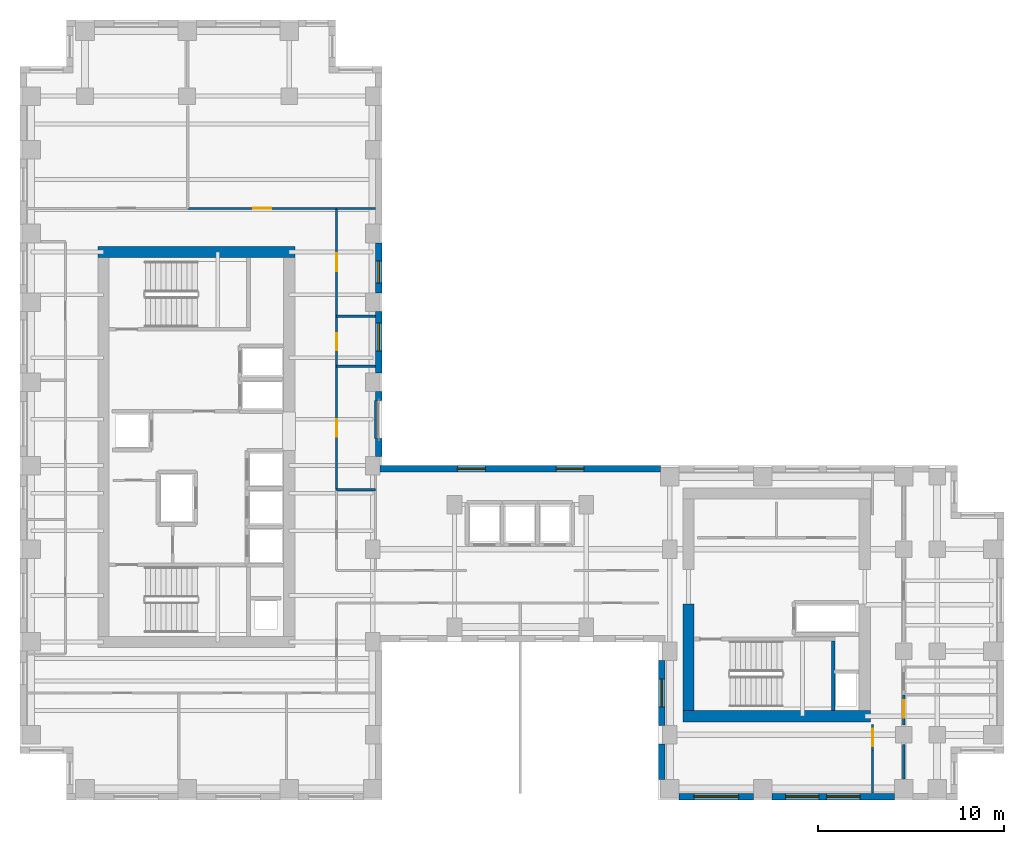
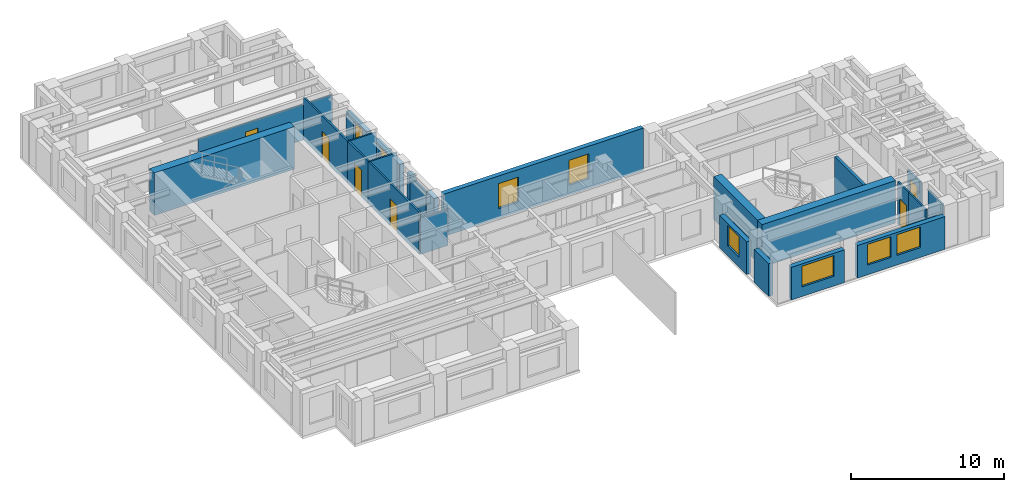
# One storey, part 7 of 11: 26 walls, 8 windows, 6 doors, 14 openings.
"""IFC4 building model written with IfcOpenShell, lengths in metres."""

from ifc_helpers import new_model, si_unit, direction, frame, frame_2d, origin, place, context, subcontext, project, spatial, rectangle, extrude, source, transform, mapped, material, layer, layer_set, type_object, element, fill, save


model = new_model("IFC4")

# Units and contexts
model_context = context("Model", 3, precision=1e-05, world=origin(), true_north=direction((0.0, 1.0)))
body_context = subcontext(model_context, "Body", "Model", "MODEL_VIEW")
ifc_project = project(units=[si_unit("LENGTHUNIT", "METRE"), si_unit("AREAUNIT", "SQUARE_METRE"), si_unit("VOLUMEUNIT", "CUBIC_METRE"), si_unit("PLANEANGLEUNIT", "RADIAN"), si_unit("MASSUNIT", "GRAM", prefix="KILO")], contexts=[model_context])

# Site, building, storey
site_placement = place(None, origin())
site = spatial("IfcSite", under=ifc_project, at=site_placement, CompositionType="ELEMENT")
building_placement = place(site_placement, origin())
building = spatial("IfcBuilding", under=site, at=building_placement, Name="Kharzan Plaza Tower", CompositionType="ELEMENT")
storey_placement = place(building_placement, frame((0.0, 0.0, 182.699951171875)))
storey = spatial("IfcBuildingStorey", under=building, at=storey_placement, Name="L49", CompositionType="ELEMENT", Elevation=182.699951171875)

# Wall, opening, window
ifc_material_1 = material(Name="Concrete C40/50", Category="concrete")
ifc_layer_1 = layer(ifc_material_1, 0.35009765625)
ifc_layer_set_1 = layer_set([ifc_layer_1], Name="Concrete C40/50")
wall_type_1 = type_object("IfcWallType", Name="WL-EXT-MAS-Z3", PredefinedType="SOLIDWALL", material=ifc_layer_set_1)
wall_1_placement = place(storey_placement, frame((34.574951171875, 7.501953125, 0.0), z_axis=(0.0, 0.0, 1.0), x_axis=(0.0, -1.0, 0.0)))
wall_1 = element("IfcWall", 1, at=wall_1_placement, inside=storey, type_object=wall_type_1, Name="L49 Masonry-Frame Exterior Wall 29", PredefinedType="SOLIDWALL", context=body_context, shape_type="SweptSolid", body=[
    extrude(rectangle(XDim=3.50390625, YDim=0.35009765625, at=frame_2d((1.751953125, 0.0))), origin(), (0.0, 0.0, 1.0), 2.612060546875),
])
opening_1_placement = place(wall_1_placement, frame((1.001953125, 0.0, 0.780029296875)))
opening_1 = element("IfcOpeningElement", 2, at=opening_1_placement, cuts=wall_1, Name="Opening W5", PredefinedType="OPENING", context=body_context, shape_type="SweptSolid", body=[
    extrude(rectangle(XDim=1.5, YDim=1.652099609375, at=frame_2d((0.75, 0.826171875))), frame((0.0, 0.18505859375, 0.0), z_axis=(0.0, -1.0, 0.0), x_axis=(1.0, 0.0, 0.0)), (0.0, 0.0, 1.0), 0.3701171875),
])
ifc_material_2 = material(Name="Low-E Double Glazing", Category="glass")
window_type_1 = type_object("IfcWindowType", Name="WN-SLT-1500x2000", PartitioningType="SINGLE_PANEL", PredefinedType="WINDOW", material=ifc_material_2)
shared_shape_1 = source(origin(), body_context, "Body", "SweptSolid", [
    extrude(rectangle(XDim=1.5, YDim=1.652099609375, at=frame_2d((0.75, 0.826171875))), frame((0.0, 0.030029296875, 0.0), z_axis=(0.0, -1.0, 0.0), x_axis=(1.0, 0.0, 0.0)), (0.0, 0.0, 1.0), 0.06005859375),
])
window_1_placement = place(opening_1_placement, origin())
window_1 = element("IfcWindow", 3, at=window_1_placement, inside=storey, type_object=window_type_1, Name="L49 Recessed Solar-Control Window 29-1", OverallHeight=1.652099609375, OverallWidth=1.5, PartitioningType="SINGLE_PANEL", PredefinedType="WINDOW", context=body_context, shape_type="MappedRepresentation", body=[
    mapped(shared_shape_1, transform((0.0, 0.0, 0.0), x_axis=(1.0, 0.0, 0.0), y_axis=(0.0, 1.0, 0.0), z_axis=(0.0, 0.0, 1.0))),
])
fill(opening_1, window_1)

wall_2_placement = place(storey_placement, frame((35.498046875, 0.175048828125, 0.0), z_axis=(0.0, 0.0, 1.0), x_axis=(1.0, 0.0, 0.0)))
wall_2 = element("IfcWall", 4, at=wall_2_placement, inside=storey, type_object=wall_type_1, Name="L49 Masonry-Frame Exterior Wall 31", PredefinedType="SOLIDWALL", context=body_context, shape_type="SweptSolid", body=[
    extrude(rectangle(XDim=4.00390625, YDim=0.35009765625, at=frame_2d((2.001953125, 0.0))), origin(), (0.0, 0.0, 1.0), 2.612060546875),
])
opening_2_placement = place(wall_2_placement, frame((0.802001953125, 0.0, 0.780029296875)))
opening_2 = element("IfcOpeningElement", 5, at=opening_2_placement, cuts=wall_2, Name="Opening W2", PredefinedType="OPENING", context=body_context, shape_type="SweptSolid", body=[
    extrude(rectangle(XDim=2.39990234375, YDim=1.652099609375, at=frame_2d((1.199951171875, 0.826171875))), frame((0.0, 0.18505859375, 0.0), z_axis=(0.0, -1.0, 0.0), x_axis=(1.0, 0.0, 0.0)), (0.0, 0.0, 1.0), 0.3701171875),
])
window_type_2 = type_object("IfcWindowType", Name="WN-REC-2400x2100", PartitioningType="SINGLE_PANEL", PredefinedType="WINDOW", material=ifc_material_2)
shared_shape_2 = source(origin(), body_context, "Body", "SweptSolid", [
    extrude(rectangle(XDim=2.39990234375, YDim=1.652099609375, at=frame_2d((1.199951171875, 0.826171875))), frame((0.0, 0.030029296875, 0.0), z_axis=(0.0, -1.0, 0.0), x_axis=(1.0, 0.0, 0.0)), (0.0, 0.0, 1.0), 0.06005859375),
])
window_2_placement = place(opening_2_placement, origin())
window_2 = element("IfcWindow", 6, at=window_2_placement, inside=storey, type_object=window_type_2, Name="L49 Wide Recessed Solar-Control Window 31-1", OverallHeight=1.652099609375, OverallWidth=2.39990234375, PartitioningType="SINGLE_PANEL", PredefinedType="WINDOW", context=body_context, shape_type="MappedRepresentation", body=[
    mapped(shared_shape_2, transform((0.0, 0.0, 0.0), x_axis=(1.0, 0.0, 0.0), y_axis=(0.0, 1.0, 0.0), z_axis=(0.0, 0.0, 1.0))),
])
fill(opening_2, window_2)

# Wall, openings, windows
wall_3_placement = place(storey_placement, frame((40.498046875, 0.175048828125, 0.0), z_axis=(0.0, 0.0, 1.0), x_axis=(1.0, 0.0, 0.0)))
wall_3 = element("IfcWall", 7, at=wall_3_placement, inside=storey, type_object=wall_type_1, Name="L49 Masonry-Frame Exterior Wall 32", PredefinedType="SOLIDWALL", context=body_context, shape_type="SweptSolid", body=[
    extrude(rectangle(XDim=6.60400390625, YDim=0.35009765625, at=frame_2d((3.302001953125, 0.0))), origin(), (0.0, 0.0, 1.0), 2.612060546875),
])
opening_3_placement = place(wall_3_placement, frame((0.7373046875, 0.0, 0.780029296875)))
opening_3 = element("IfcOpeningElement", 8, at=opening_3_placement, cuts=wall_3, Name="Opening W1", PredefinedType="OPENING", context=body_context, shape_type="SweptSolid", body=[
    extrude(rectangle(XDim=1.800048828125, YDim=1.652099609375, at=frame_2d((0.89990234375, 0.826171875))), frame((0.0, 0.18505859375, 0.0), z_axis=(0.0, -1.0, 0.0), x_axis=(1.0, 0.0, 0.0)), (0.0, 0.0, 1.0), 0.3701171875),
])
opening_4_placement = place(wall_3_placement, frame((2.95458984375, 0.0, 0.780029296875)))
opening_4 = element("IfcOpeningElement", 9, at=opening_4_placement, cuts=wall_3, Name="Opening W1", PredefinedType="OPENING", context=body_context, shape_type="SweptSolid", body=[
    extrude(rectangle(XDim=1.800048828125, YDim=1.652099609375, at=frame_2d((0.89990234375, 0.826171875))), frame((0.0, 0.18505859375, 0.0), z_axis=(0.0, -1.0, 0.0), x_axis=(1.0, 0.0, 0.0)), (0.0, 0.0, 1.0), 0.3701171875),
])
window_type_3 = type_object("IfcWindowType", Name="WN-REC-1800x2100", PartitioningType="SINGLE_PANEL", PredefinedType="WINDOW", material=ifc_material_2)
shared_shape_3 = source(origin(), body_context, "Body", "SweptSolid", [
    extrude(rectangle(XDim=1.800048828125, YDim=1.652099609375, at=frame_2d((0.89990234375, 0.826171875))), frame((0.0, 0.030029296875, 0.0), z_axis=(0.0, -1.0, 0.0), x_axis=(1.0, 0.0, 0.0)), (0.0, 0.0, 1.0), 0.06005859375),
])
window_3_placement = place(opening_3_placement, origin())
window_3 = element("IfcWindow", 10, at=window_3_placement, inside=storey, type_object=window_type_3, Name="L49 Recessed Solar-Control Window 32-1", OverallHeight=1.652099609375, OverallWidth=1.800048828125, PartitioningType="SINGLE_PANEL", PredefinedType="WINDOW", context=body_context, shape_type="MappedRepresentation", body=[
    mapped(shared_shape_3, transform((0.0, 0.0, 0.0), x_axis=(1.0, 0.0, 0.0), y_axis=(0.0, 1.0, 0.0), z_axis=(0.0, 0.0, 1.0))),
])
fill(opening_3, window_3)
window_4_placement = place(opening_4_placement, origin())
window_4 = element("IfcWindow", 11, at=window_4_placement, inside=storey, type_object=window_type_3, Name="L49 Recessed Solar-Control Window 32-2", OverallHeight=1.652099609375, OverallWidth=1.800048828125, PartitioningType="SINGLE_PANEL", PredefinedType="WINDOW", context=body_context, shape_type="MappedRepresentation", body=[
    mapped(shared_shape_3, transform((0.0, 0.0, 0.0), x_axis=(1.0, 0.0, 0.0), y_axis=(0.0, 1.0, 0.0), z_axis=(0.0, 0.0, 1.0))),
])
fill(opening_4, window_4)

wall_4_placement = place(storey_placement, frame((34.501953125, 17.824951171875, 0.0), z_axis=(0.0, 0.0, 1.0), x_axis=(-1.0, 0.0, 0.0)))
wall_4 = element("IfcWall", 12, at=wall_4_placement, inside=storey, type_object=wall_type_1, Name="L49 Masonry-Frame Exterior Wall 46", PredefinedType="SOLIDWALL", context=body_context, shape_type="SweptSolid", body=[
    extrude(rectangle(XDim=15.10400390625, YDim=0.35009765625, at=frame_2d((7.552001953125, 0.0))), origin(), (0.0, 0.0, 1.0), 3.385009765625),
])
opening_5_placement = place(wall_4_placement, frame((4.131103515625, 0.0, 0.780029296875)))
opening_5 = element("IfcOpeningElement", 13, at=opening_5_placement, cuts=wall_4, Name="Opening W5", PredefinedType="OPENING", context=body_context, shape_type="SweptSolid", body=[
    extrude(rectangle(XDim=1.5, YDim=2.0, at=frame_2d((0.75, 1.0))), frame((0.0, 0.18505859375, 0.0), z_axis=(0.0, -1.0, 0.0), x_axis=(1.0, 0.0, 0.0)), (0.0, 0.0, 1.0), 0.3701171875),
])
opening_6_placement = place(wall_4_placement, frame((9.4423828125, 0.0, 0.780029296875)))
opening_6 = element("IfcOpeningElement", 14, at=opening_6_placement, cuts=wall_4, Name="Opening W5", PredefinedType="OPENING", context=body_context, shape_type="SweptSolid", body=[
    extrude(rectangle(XDim=1.5, YDim=2.0, at=frame_2d((0.75, 1.0))), frame((0.0, 0.18505859375, 0.0), z_axis=(0.0, -1.0, 0.0), x_axis=(1.0, 0.0, 0.0)), (0.0, 0.0, 1.0), 0.3701171875),
])
shared_shape_4 = source(origin(), body_context, "Body", "SweptSolid", [
    extrude(rectangle(XDim=1.5, YDim=2.0, at=frame_2d((0.75, 1.0))), frame((0.0, 0.030029296875, 0.0), z_axis=(0.0, -1.0, 0.0), x_axis=(1.0, 0.0, 0.0)), (0.0, 0.0, 1.0), 0.06005859375),
])
window_5_placement = place(opening_5_placement, origin())
window_5 = element("IfcWindow", 15, at=window_5_placement, inside=storey, type_object=window_type_1, Name="L49 Recessed Solar-Control Window 46-1", OverallHeight=2.0, OverallWidth=1.5, PartitioningType="SINGLE_PANEL", PredefinedType="WINDOW", context=body_context, shape_type="MappedRepresentation", body=[
    mapped(shared_shape_4, transform((0.0, 0.0, 0.0), x_axis=(1.0, 0.0, 0.0), y_axis=(0.0, 1.0, 0.0), z_axis=(0.0, 0.0, 1.0))),
])
fill(opening_5, window_5)
window_6_placement = place(opening_6_placement, origin())
window_6 = element("IfcWindow", 16, at=window_6_placement, inside=storey, type_object=window_type_1, Name="L49 Recessed Solar-Control Window 46-2", OverallHeight=2.0, OverallWidth=1.5, PartitioningType="SINGLE_PANEL", PredefinedType="WINDOW", context=body_context, shape_type="MappedRepresentation", body=[
    mapped(shared_shape_4, transform((0.0, 0.0, 0.0), x_axis=(1.0, 0.0, 0.0), y_axis=(0.0, 1.0, 0.0), z_axis=(0.0, 0.0, 1.0))),
])
fill(opening_6, window_6)

# Wall, opening, window
wall_5_placement = place(storey_placement, frame((19.324951171875, 22.998046875, 0.0), z_axis=(0.0, 0.0, 1.0), x_axis=(0.0, 1.0, 0.0)))
wall_5 = element("IfcWall", 17, at=wall_5_placement, inside=storey, type_object=wall_type_1, Name="L49 Masonry-Frame Exterior Wall 49", PredefinedType="SOLIDWALL", context=body_context, shape_type="SweptSolid", body=[
    extrude(rectangle(XDim=3.303955078125, YDim=0.35009765625, at=frame_2d((1.65185546875, 0.0))), origin(), (0.0, 0.0, 1.0), 2.612060546875),
])
opening_7_placement = place(wall_5_placement, frame((1.180419921875, 0.0, 0.780029296875)))
opening_7 = element("IfcOpeningElement", 18, at=opening_7_placement, cuts=wall_5, Name="Opening W5", PredefinedType="OPENING", context=body_context, shape_type="SweptSolid", body=[
    extrude(rectangle(XDim=1.5, YDim=1.652099609375, at=frame_2d((0.75, 0.826171875))), frame((0.0, 0.18505859375, 0.0), z_axis=(0.0, -1.0, 0.0), x_axis=(1.0, 0.0, 0.0)), (0.0, 0.0, 1.0), 0.3701171875),
])
window_7_placement = place(opening_7_placement, origin())
window_7 = element("IfcWindow", 19, at=window_7_placement, inside=storey, type_object=window_type_1, Name="L49 Recessed Solar-Control Window 49-1", OverallHeight=1.652099609375, OverallWidth=1.5, PartitioningType="SINGLE_PANEL", PredefinedType="WINDOW", context=body_context, shape_type="MappedRepresentation", body=[
    mapped(shared_shape_1, transform((0.0, 0.0, 0.0), x_axis=(1.0, 0.0, 0.0), y_axis=(0.0, 1.0, 0.0), z_axis=(0.0, 0.0, 1.0))),
])
fill(opening_7, window_7)

wall_6_placement = place(storey_placement, frame((19.324951171875, 27.298095703125, 0.0), z_axis=(0.0, 0.0, 1.0), x_axis=(0.0, 1.0, 0.0)))
wall_6 = element("IfcWall", 20, at=wall_6_placement, inside=storey, type_object=wall_type_1, Name="L49 Masonry-Frame Exterior Wall 50", PredefinedType="SOLIDWALL", context=body_context, shape_type="SweptSolid", body=[
    extrude(rectangle(XDim=2.703857421875, YDim=0.35009765625, at=frame_2d((1.35205078125, 0.0))), origin(), (0.0, 0.0, 1.0), 2.612060546875),
])
opening_8_placement = place(wall_6_placement, frame((0.523681640625, 0.0, 0.780029296875)))
opening_8 = element("IfcOpeningElement", 21, at=opening_8_placement, cuts=wall_6, Name="Opening W3", PredefinedType="OPENING", context=body_context, shape_type="SweptSolid", body=[
    extrude(rectangle(XDim=1.199951171875, YDim=1.652099609375, at=frame_2d((0.60009765625, 0.826171875))), frame((0.0, 0.18505859375, 0.0), z_axis=(0.0, -1.0, 0.0), x_axis=(1.0, 0.0, 0.0)), (0.0, 0.0, 1.0), 0.3701171875),
])
window_type_4 = type_object("IfcWindowType", Name="WN-REC-1200x2100", PartitioningType="SINGLE_PANEL", PredefinedType="WINDOW", material=ifc_material_2)
shared_shape_5 = source(origin(), body_context, "Body", "SweptSolid", [
    extrude(rectangle(XDim=1.199951171875, YDim=1.652099609375, at=frame_2d((0.60009765625, 0.826171875))), frame((0.0, 0.030029296875, 0.0), z_axis=(0.0, -1.0, 0.0), x_axis=(1.0, 0.0, 0.0)), (0.0, 0.0, 1.0), 0.06005859375),
])
window_8_placement = place(opening_8_placement, origin())
window_8 = element("IfcWindow", 22, at=window_8_placement, inside=storey, type_object=window_type_4, Name="L49 Recessed Solar-Control Window 50-1", OverallHeight=1.652099609375, OverallWidth=1.199951171875, PartitioningType="SINGLE_PANEL", PredefinedType="WINDOW", context=body_context, shape_type="MappedRepresentation", body=[
    mapped(shared_shape_5, transform((0.0, 0.0, 0.0), x_axis=(1.0, 0.0, 0.0), y_axis=(0.0, 1.0, 0.0), z_axis=(0.0, 0.0, 1.0))),
])
fill(opening_8, window_8)

# Wall, opening, door
ifc_material_3 = material(Name="Fire-Rated Gypsum Board Partition", Category="gypsum")
ifc_layer_2 = layer(ifc_material_3, 0.125)
ifc_layer_set_2 = layer_set([ifc_layer_2], Name="Fire-Rated Gypsum Board Partition")
wall_type_2 = type_object("IfcWallType", Name="WL-INT-PART-125", PredefinedType="PARTITIONING", material=ifc_layer_set_2)
wall_7_placement = place(storey_placement, frame((17.050048828125, 16.699951171875, 0.0), z_axis=(0.0, 0.0, 1.0), x_axis=(0.0, 1.0, 0.0)))
wall_7 = element("IfcWall", 23, at=wall_7_placement, inside=storey, type_object=wall_type_2, Name="L49 Interior Partition SH-AEWN2", PredefinedType="PARTITIONING", context=body_context, shape_type="SweptSolid", body=[
    extrude(rectangle(XDim=6.650146484375, YDim=0.125, at=frame_2d((3.3251953125, 0.0))), origin(), (0.0, 0.0, 1.0), 3.385009765625),
])
opening_9_placement = place(wall_7_placement, frame((2.85009765625, 0.0, 0.0)))
opening_9 = element("IfcOpeningElement", 24, at=opening_9_placement, cuts=wall_7, Name="Opening OD1", PredefinedType="OPENING", context=body_context, shape_type="SweptSolid", body=[
    extrude(rectangle(XDim=0.949951171875, YDim=2.14990234375, at=frame_2d((0.47509765625, 1.074951171875))), frame((0.0, 0.072509765625, 0.0), z_axis=(0.0, -1.0, 0.0), x_axis=(1.0, 0.0, 0.0)), (0.0, 0.0, 1.0), 0.14501953125),
])
ifc_material_4 = material(Name="Acoustic Solid-Core Stained Oak", Category="timber")
door_type_1 = type_object("IfcDoorType", Name="DR-OFF-SINGLE", OperationType="NOTDEFINED", PredefinedType="DOOR", material=ifc_material_4)
shared_shape_6 = source(origin(), body_context, "Body", "SweptSolid", [
    extrude(rectangle(XDim=0.949951171875, YDim=2.14990234375, at=frame_2d((0.47509765625, 1.074951171875))), frame((0.0, 0.02490234375, 0.0), z_axis=(0.0, -1.0, 0.0), x_axis=(1.0, 0.0, 0.0)), (0.0, 0.0, 1.0), 0.050048828125),
])
door_1_placement = place(opening_9_placement, origin())
door_1 = element("IfcDoor", 25, at=door_1_placement, inside=storey, type_object=door_type_1, Name="L49 Slot Studio Door", OperationType="SINGLE_SWING_RIGHT", OverallHeight=2.14990234375, OverallWidth=0.949951171875, PredefinedType="DOOR", context=body_context, shape_type="MappedRepresentation", body=[
    mapped(shared_shape_6, transform((0.0, 0.0, 0.0), x_axis=(1.0, 0.0, 0.0), y_axis=(0.0, 1.0, 0.0), z_axis=(0.0, 0.0, 1.0))),
])
fill(opening_9, door_1)

wall_8_placement = place(storey_placement, frame((17.050048828125, 26.050048828125, 0.0), z_axis=(0.0, 0.0, 1.0), x_axis=(0.0, 1.0, 0.0)))
wall_8 = element("IfcWall", 26, at=wall_8_placement, inside=storey, type_object=wall_type_2, Name="L49 Interior Partition SH-AEWN3", PredefinedType="PARTITIONING", context=body_context, shape_type="SweptSolid", body=[
    extrude(rectangle(XDim=5.800048828125, YDim=0.125, at=frame_2d((2.89990234375, 0.0))), origin(), (0.0, 0.0, 1.0), 3.385009765625),
])
opening_10_placement = place(wall_8_placement, frame((2.425048828125, 0.0, 0.0)))
opening_10 = element("IfcOpeningElement", 27, at=opening_10_placement, cuts=wall_8, Name="Opening OD1", PredefinedType="OPENING", context=body_context, shape_type="SweptSolid", body=[
    extrude(rectangle(XDim=0.949951171875, YDim=2.14990234375, at=frame_2d((0.47509765625, 1.074951171875))), frame((0.0, 0.072509765625, 0.0), z_axis=(0.0, -1.0, 0.0), x_axis=(1.0, 0.0, 0.0)), (0.0, 0.0, 1.0), 0.14501953125),
])
door_2_placement = place(opening_10_placement, origin())
door_2 = element("IfcDoor", 28, at=door_2_placement, inside=storey, type_object=door_type_1, Name="L49 Staff Tea Point Door", OperationType="SINGLE_SWING_RIGHT", OverallHeight=2.14990234375, OverallWidth=0.949951171875, PredefinedType="DOOR", context=body_context, shape_type="MappedRepresentation", body=[
    mapped(shared_shape_6, transform((0.0, 0.0, 0.0), x_axis=(1.0, 0.0, 0.0), y_axis=(0.0, 1.0, 0.0), z_axis=(0.0, 0.0, 1.0))),
])
fill(opening_10, door_2)

wall_9_placement = place(storey_placement, frame((17.050048828125, 23.35009765625, 0.0), z_axis=(0.0, 0.0, 1.0), x_axis=(0.0, 1.0, 0.0)))
wall_9 = element("IfcWall", 29, at=wall_9_placement, inside=storey, type_object=wall_type_2, Name="L49 Interior Partition SH-AEWW", PredefinedType="PARTITIONING", context=body_context, shape_type="SweptSolid", body=[
    extrude(rectangle(XDim=2.699951171875, YDim=0.125, at=frame_2d((1.35009765625, 0.0))), origin(), (0.0, 0.0, 1.0), 3.385009765625),
])
opening_11_placement = place(wall_9_placement, frame((0.875, 0.0, 0.0)))
opening_11 = element("IfcOpeningElement", 30, at=opening_11_placement, cuts=wall_9, Name="Opening WD1", PredefinedType="OPENING", context=body_context, shape_type="SweptSolid", body=[
    extrude(rectangle(XDim=0.89990234375, YDim=2.14990234375, at=frame_2d((0.449951171875, 1.074951171875))), frame((0.0, 0.072509765625, 0.0), z_axis=(0.0, -1.0, 0.0), x_axis=(1.0, 0.0, 0.0)), (0.0, 0.0, 1.0), 0.14501953125),
])
ifc_material_5 = material(Name="Moisture-Resistant Fire-Rated Laminate", Category="timber")
door_type_2 = type_object("IfcDoorType", Name="DR-WC-900", OperationType="NOTDEFINED", PredefinedType="DOOR", material=ifc_material_5)
shared_shape_7 = source(origin(), body_context, "Body", "SweptSolid", [
    extrude(rectangle(XDim=0.89990234375, YDim=2.14990234375, at=frame_2d((0.449951171875, 1.074951171875))), frame((0.0, 0.02490234375, 0.0), z_axis=(0.0, -1.0, 0.0), x_axis=(1.0, 0.0, 0.0)), (0.0, 0.0, 1.0), 0.050048828125),
])
door_3_placement = place(opening_11_placement, origin())
door_3 = element("IfcDoor", 31, at=door_3_placement, inside=storey, type_object=door_type_2, Name="L49 Wing A Washroom Door", OperationType="SINGLE_SWING_LEFT", OverallHeight=2.14990234375, OverallWidth=0.89990234375, PredefinedType="DOOR", context=body_context, shape_type="MappedRepresentation", body=[
    mapped(shared_shape_7, transform((0.0, 0.0, 0.0), x_axis=(1.0, 0.0, 0.0), y_axis=(0.0, 1.0, 0.0), z_axis=(0.0, 0.0, 1.0))),
])
fill(opening_11, door_3)

wall_10_placement = place(storey_placement, frame((47.60009765625, 4.02001953125, 0.0), z_axis=(0.0, 0.0, 1.0), x_axis=(0.0, 1.0, 0.0)))
wall_10 = element("IfcWall", 32, at=wall_10_placement, inside=storey, type_object=wall_type_2, Name="L49 Interior Partition SH-B0W0", PredefinedType="PARTITIONING", context=body_context, shape_type="SweptSolid", body=[
    extrude(rectangle(XDim=1.6298828125, YDim=0.125, at=frame_2d((0.81494140625, 0.0))), origin(), (0.0, 0.0, 1.0), 2.77294921875),
])
opening_12_placement = place(wall_10_placement, frame((0.393310546875, 0.0, 0.0)))
opening_12 = element("IfcOpeningElement", 33, at=opening_12_placement, cuts=wall_10, Name="Opening OD1", PredefinedType="OPENING", context=body_context, shape_type="SweptSolid", body=[
    extrude(rectangle(XDim=0.949951171875, YDim=2.14990234375, at=frame_2d((0.47509765625, 1.074951171875))), frame((0.0, 0.072509765625, 0.0), z_axis=(0.0, -1.0, 0.0), x_axis=(1.0, 0.0, 0.0)), (0.0, 0.0, 1.0), 0.14501953125),
])
door_4_placement = place(opening_12_placement, origin())
door_4 = element("IfcDoor", 34, at=door_4_placement, inside=storey, type_object=door_type_1, Name="L49 Wing B South Office Door", OperationType="SINGLE_SWING_RIGHT", OverallHeight=2.14990234375, OverallWidth=0.949951171875, PredefinedType="DOOR", context=body_context, shape_type="MappedRepresentation", body=[
    mapped(shared_shape_6, transform((0.0, 0.0, 0.0), x_axis=(1.0, 0.0, 0.0), y_axis=(0.0, 1.0, 0.0), z_axis=(0.0, 0.0, 1.0))),
])
fill(opening_12, door_4)

wall_11_placement = place(storey_placement, frame((9.0390625, 31.85009765625, 0.0), z_axis=(0.0, 0.0, 1.0), x_axis=(1.0, 0.0, 0.0)))
wall_11 = element("IfcWall", 35, at=wall_11_placement, inside=storey, type_object=wall_type_2, Name="L49 Interior Partition SH-NN-2", PredefinedType="PARTITIONING", context=body_context, shape_type="SweptSolid", body=[
    extrude(rectangle(XDim=8.010986328125, YDim=0.125, at=frame_2d((4.00537109375, 0.0))), origin(), (0.0, 0.0, 1.0), 2.84814453125),
])
opening_13_placement = place(wall_11_placement, frame((3.530517578125, 0.0, 0.0)))
opening_13 = element("IfcOpeningElement", 36, at=opening_13_placement, cuts=wall_11, Name="Opening OD1", PredefinedType="OPENING", context=body_context, shape_type="SweptSolid", body=[
    extrude(rectangle(XDim=0.949951171875, YDim=2.14990234375, at=frame_2d((0.47509765625, 1.074951171875))), frame((0.0, 0.072509765625, 0.0), z_axis=(0.0, -1.0, 0.0), x_axis=(1.0, 0.0, 0.0)), (0.0, 0.0, 1.0), 0.14501953125),
])
door_5_placement = place(opening_13_placement, origin())
door_5 = element("IfcDoor", 37, at=door_5_placement, inside=storey, type_object=door_type_1, Name="L49 Occupational Health Treatment Room Door", OperationType="SINGLE_SWING_LEFT", OverallHeight=2.14990234375, OverallWidth=0.949951171875, PredefinedType="DOOR", context=body_context, shape_type="MappedRepresentation", body=[
    mapped(shared_shape_6, transform((0.0, 0.0, 0.0), x_axis=(1.0, 0.0, 0.0), y_axis=(0.0, 1.0, 0.0), z_axis=(0.0, 0.0, 1.0))),
])
fill(opening_13, door_5)

wall_12_placement = place(storey_placement, frame((45.919921875, 2.64990234375, 0.0), z_axis=(0.0, 0.0, 1.0), x_axis=(0.0, 1.0, 0.0)))
wall_12 = element("IfcWall", 38, at=wall_12_placement, inside=storey, type_object=wall_type_2, Name="L49 Interior Partition SH-RBSE", PredefinedType="PARTITIONING", context=body_context, shape_type="SweptSolid", body=[
    extrude(rectangle(XDim=1.400146484375, YDim=0.125, at=frame_2d((0.7001953125, 0.0))), origin(), (0.0, 0.0, 1.0), 3.385009765625),
])
opening_14_placement = place(wall_12_placement, frame((0.22509765625, 0.0, 0.0)))
opening_14 = element("IfcOpeningElement", 39, at=opening_14_placement, cuts=wall_12, Name="Opening OD1", PredefinedType="OPENING", context=body_context, shape_type="SweptSolid", body=[
    extrude(rectangle(XDim=0.949951171875, YDim=2.14990234375, at=frame_2d((0.47509765625, 1.074951171875))), frame((0.0, 0.072509765625, 0.0), z_axis=(0.0, -1.0, 0.0), x_axis=(1.0, 0.0, 0.0)), (0.0, 0.0, 1.0), 0.14501953125),
])
door_6_placement = place(opening_14_placement, origin())
door_6 = element("IfcDoor", 40, at=door_6_placement, inside=storey, type_object=door_type_1, Name="L49 South-East Corner Office Door", OperationType="SINGLE_SWING_LEFT", OverallHeight=2.14990234375, OverallWidth=0.949951171875, PredefinedType="DOOR", context=body_context, shape_type="MappedRepresentation", body=[
    mapped(shared_shape_6, transform((0.0, 0.0, 0.0), x_axis=(1.0, 0.0, 0.0), y_axis=(0.0, 1.0, 0.0), z_axis=(0.0, 0.0, 1.0))),
])
fill(opening_14, door_6)

# Walls
shared_shape_8 = source(origin(), body_context, "Body", "SweptSolid", [
    extrude(rectangle(XDim=2.097900390625, YDim=0.125, at=frame_2d((1.048828125, 0.0))), origin(), (0.0, 0.0, 1.0), 3.385009765625),
])
for number, where, z_axis, x_axis, name in (
    (41, (17.050048828125, 23.35009765625, 0.0), (0.0, 0.0, 1.0), (1.0, 0.0, 0.0), "L49 Interior Partition SH-AEH-233"),
    (42, (17.050048828125, 26.050048828125, 0.0), (0.0, 0.0, 1.0), (1.0, 0.0, 0.0), "L49 Interior Partition SH-AEH-260"),
):
    element("IfcWall", number, at=place(storey_placement, frame(where, z_axis=z_axis, x_axis=x_axis)), inside=storey, type_object=wall_type_2, Name=name, PredefinedType="PARTITIONING", context=body_context, shape_type="MappedRepresentation", body=[
        mapped(shared_shape_8, transform((0.0, 0.0, 0.0), x_axis=(1.0, 0.0, 0.0), y_axis=(0.0, 1.0, 0.0), z_axis=(0.0, 0.0, 1.0))),
    ])
shared_shape_9 = source(origin(), body_context, "Body", "SweptSolid", [
    extrude(rectangle(XDim=2.2978515625, YDim=0.125, at=frame_2d((1.14892578125, 0.0))), origin(), (0.0, 0.0, 1.0), 3.385009765625),
])
wall_13_placement = place(storey_placement, frame((45.919921875, 0.35205078125, 0.0), z_axis=(0.0, 0.0, 1.0), x_axis=(0.0, 1.0, 0.0)))
element("IfcWall", 43, at=wall_13_placement, inside=storey, type_object=wall_type_2, Name="L49 Interior Partition SH-RBSE0", PredefinedType="PARTITIONING", context=body_context, shape_type="MappedRepresentation", body=[
    mapped(shared_shape_9, transform((0.0, 0.0, 0.0), x_axis=(1.0, 0.0, 0.0), y_axis=(0.0, 1.0, 0.0), z_axis=(0.0, 0.0, 1.0))),
])
ifc_material_6 = material(Name="Concrete C50/60", Category="concrete")
ifc_layer_3 = layer(ifc_material_6, 0.60009765625)
ifc_layer_set_3 = layer_set([ifc_layer_3], Name="Concrete C50/60")
wall_type_3 = type_object("IfcWallType", Name="WL-CORE-600", PredefinedType="SHEAR", material=ifc_layer_set_3)
shared_shape_10 = source(origin(), body_context, "Body", "SweptSolid", [
    extrude(rectangle(XDim=10.60009765625, YDim=0.60009765625, at=frame_2d((5.300048828125, 0.0))), origin(), (0.0, 0.0, 1.0), 3.400146484375),
])
wall_14_placement = place(storey_placement, frame((4.199951171875, 29.5, 0.0), z_axis=(0.0, 0.0, 1.0), x_axis=(1.0, 0.0, 0.0)))
element("IfcWall", 44, at=wall_14_placement, inside=storey, type_object=wall_type_3, Name="L49 CORE-A north RC shear wall", PredefinedType="SHEAR", context=body_context, shape_type="MappedRepresentation", body=[
    mapped(shared_shape_10, transform((0.0, 0.0, 0.0), x_axis=(1.0, 0.0, 0.0), y_axis=(0.0, 1.0, 0.0), z_axis=(0.0, 0.0, 1.0))),
])
shared_shape_11 = source(origin(), body_context, "Body", "SweptSolid", [
    extrude(rectangle(XDim=5.75, YDim=0.60009765625, at=frame_2d((2.875, 0.0))), origin(), (0.0, 0.0, 1.0), 3.400146484375),
])
wall_15_placement = place(storey_placement, frame((36.0, 4.800048828125, 0.0), z_axis=(0.0, 0.0, 1.0), x_axis=(0.0, 1.0, 0.0)))
element("IfcWall", 45, at=wall_15_placement, inside=storey, type_object=wall_type_3, Name="L49 CORE-B west shear pier 1", PredefinedType="SHEAR", context=body_context, shape_type="MappedRepresentation", body=[
    mapped(shared_shape_11, transform((0.0, 0.0, 0.0), x_axis=(1.0, 0.0, 0.0), y_axis=(0.0, 1.0, 0.0), z_axis=(0.0, 0.0, 1.0))),
])
shared_shape_12 = source(origin(), body_context, "Body", "SweptSolid", [
    extrude(rectangle(XDim=10.10009765625, YDim=0.60009765625, at=frame_2d((5.050048828125, 0.0))), origin(), (0.0, 0.0, 1.0), 3.400146484375),
])
wall_16_placement = place(storey_placement, frame((35.699951171875, 4.5, 0.0), z_axis=(0.0, 0.0, 1.0), x_axis=(1.0, 0.0, 0.0)))
element("IfcWall", 46, at=wall_16_placement, inside=storey, type_object=wall_type_3, Name="L49 CORE-B south RC shear wall", PredefinedType="SHEAR", context=body_context, shape_type="MappedRepresentation", body=[
    mapped(shared_shape_12, transform((0.0, 0.0, 0.0), x_axis=(1.0, 0.0, 0.0), y_axis=(0.0, 1.0, 0.0), z_axis=(0.0, 0.0, 1.0))),
])
shared_shape_13 = source(origin(), body_context, "Body", "SweptSolid", [
    extrude(rectangle(XDim=1.904052734375, YDim=0.35009765625, at=frame_2d((0.9521484375, 0.0))), origin(), (0.0, 0.0, 1.0), 2.612060546875),
])
wall_17_placement = place(storey_placement, frame((34.574951171875, 3.001953125, 0.0), z_axis=(0.0, 0.0, 1.0), x_axis=(0.0, -1.0, 0.0)))
element("IfcWall", 47, at=wall_17_placement, inside=storey, type_object=wall_type_1, Name="L49 Masonry-Frame Exterior Wall 30", PredefinedType="SOLIDWALL", context=body_context, shape_type="MappedRepresentation", body=[
    mapped(shared_shape_13, transform((0.0, 0.0, 0.0), x_axis=(1.0, 0.0, 0.0), y_axis=(0.0, 1.0, 0.0), z_axis=(0.0, 0.0, 1.0))),
])
shared_shape_14 = source(origin(), body_context, "Body", "SweptSolid", [
    extrude(rectangle(XDim=1.85986328125, YDim=0.125, at=frame_2d((0.929931640625, 0.0))), origin(), (0.0, 0.0, 1.0), 2.77294921875),
])
wall_18_placement = place(storey_placement, frame((47.60009765625, 1.1201171875, 0.0), z_axis=(0.0, 0.0, 1.0), x_axis=(0.0, 1.0, 0.0)))
element("IfcWall", 48, at=wall_18_placement, inside=storey, type_object=wall_type_2, Name="L49 Interior Partition SH-B0W0S", PredefinedType="PARTITIONING", context=body_context, shape_type="MappedRepresentation", body=[
    mapped(shared_shape_14, transform((0.0, 0.0, 0.0), x_axis=(1.0, 0.0, 0.0), y_axis=(0.0, 1.0, 0.0), z_axis=(0.0, 0.0, 1.0))),
])
ifc_layer_4 = layer(ifc_material_6, 0.199951171875)
ifc_layer_set_4 = layer_set([ifc_layer_4], Name="Concrete C50/60")
wall_type_4 = type_object("IfcWallType", Name="WL-SHAFT-RC200", PredefinedType="SHEAR", material=ifc_layer_set_4)
shared_shape_15 = source(origin(), body_context, "Body", "SweptSolid", [
    extrude(rectangle(XDim=3.7529296875, YDim=0.199951171875, at=frame_2d((1.87646484375, 0.0))), origin(), (0.0, 0.0, 1.0), 3.400146484375),
])
wall_19_placement = place(storey_placement, frame((43.804931640625, 4.802001953125, 0.0), z_axis=(0.0, 0.0, 1.0), x_axis=(0.0, 1.0, 0.0)))
element("IfcWall", 49, at=wall_19_placement, inside=storey, type_object=wall_type_4, Name="L49 Stair ST-3 East RC Shaft Wall", PredefinedType="SHEAR", context=body_context, shape_type="MappedRepresentation", body=[
    mapped(shared_shape_15, transform((0.0, 0.0, 0.0), x_axis=(1.0, 0.0, 0.0), y_axis=(0.0, 1.0, 0.0), z_axis=(0.0, 0.0, 1.0))),
])
shared_shape_16 = source(origin(), body_context, "Body", "SweptSolid", [
    extrude(rectangle(XDim=0.951904296875, YDim=0.35009765625, at=frame_2d((0.47607421875, 0.0))), origin(), (0.0, 0.0, 1.0), 2.612060546875),
])
wall_20_placement = place(storey_placement, frame((19.324951171875, 18.498046875, 0.0), z_axis=(0.0, 0.0, 1.0), x_axis=(0.0, 1.0, 0.0)))
element("IfcWall", 50, at=wall_20_placement, inside=storey, type_object=wall_type_1, Name="L49 Masonry-Frame Exterior Wall 47", PredefinedType="SOLIDWALL", context=body_context, shape_type="MappedRepresentation", body=[
    mapped(shared_shape_16, transform((0.0, 0.0, 0.0), x_axis=(1.0, 0.0, 0.0), y_axis=(0.0, 1.0, 0.0), z_axis=(0.0, 0.0, 1.0))),
])
shared_shape_17 = source(origin(), body_context, "Body", "SweptSolid", [
    extrude(rectangle(XDim=0.501953125, YDim=0.35009765625, at=frame_2d((0.2509765625, 0.0))), origin(), (0.0, 0.0, 1.0), 2.612060546875),
])
wall_21_placement = place(storey_placement, frame((19.324951171875, 21.5, 0.0), z_axis=(0.0, 0.0, 1.0), x_axis=(0.0, 1.0, 0.0)))
element("IfcWall", 51, at=wall_21_placement, inside=storey, type_object=wall_type_1, Name="L49 Masonry-Frame Exterior Wall 48", PredefinedType="SOLIDWALL", context=body_context, shape_type="MappedRepresentation", body=[
    mapped(shared_shape_17, transform((0.0, 0.0, 0.0), x_axis=(1.0, 0.0, 0.0), y_axis=(0.0, 1.0, 0.0), z_axis=(0.0, 0.0, 1.0))),
])
shared_shape_18 = source(origin(), body_context, "Body", "SweptSolid", [
    extrude(rectangle(XDim=2.050048828125, YDim=0.125, at=frame_2d((1.02490234375, 0.0))), origin(), (0.0, 0.0, 1.0), 2.612060546875),
])
wall_22_placement = place(storey_placement, frame((19.14990234375, 19.449951171875, 0.0), z_axis=(0.0, 0.0, 1.0), x_axis=(0.0, 1.0, 0.0)))
element("IfcWall", 52, at=wall_22_placement, inside=storey, type_object=wall_type_2, Name="L49 Interior Partition SH-AEN-DIV-S3", PredefinedType="PARTITIONING", context=body_context, shape_type="MappedRepresentation", body=[
    mapped(shared_shape_18, transform((0.0, 0.0, 0.0), x_axis=(1.0, 0.0, 0.0), y_axis=(0.0, 1.0, 0.0), z_axis=(0.0, 0.0, 1.0))),
])
shared_shape_19 = source(origin(), body_context, "Body", "SweptSolid", [
    extrude(rectangle(XDim=2.097900390625, YDim=0.125, at=frame_2d((1.048828125, 0.0))), origin(), (0.0, 0.0, 1.0), 2.84814453125),
])
wall_23_placement = place(storey_placement, frame((17.050048828125, 31.85009765625, 0.0), z_axis=(0.0, 0.0, 1.0), x_axis=(1.0, 0.0, 0.0)))
element("IfcWall", 53, at=wall_23_placement, inside=storey, type_object=wall_type_2, Name="L49 Interior Partition SH-NNE0", PredefinedType="PARTITIONING", context=body_context, shape_type="MappedRepresentation", body=[
    mapped(shared_shape_19, transform((0.0, 0.0, 0.0), x_axis=(1.0, 0.0, 0.0), y_axis=(0.0, 1.0, 0.0), z_axis=(0.0, 0.0, 1.0))),
])
shared_shape_20 = source(origin(), body_context, "Body", "SweptSolid", [
    extrude(rectangle(XDim=2.099853515625, YDim=0.125, at=frame_2d((1.0498046875, 0.0))), origin(), (0.0, 0.0, 1.0), 2.916015625),
])
wall_24_placement = place(storey_placement, frame((17.050048828125, 16.699951171875, 0.0), z_axis=(0.0, 0.0, 1.0), x_axis=(1.0, 0.0, 0.0)))
element("IfcWall", 54, at=wall_24_placement, inside=storey, type_object=wall_type_2, Name="L49 Interior Partition SH-AEH-167", PredefinedType="PARTITIONING", context=body_context, shape_type="MappedRepresentation", body=[
    mapped(shared_shape_20, transform((0.0, 0.0, 0.0), x_axis=(1.0, 0.0, 0.0), y_axis=(0.0, 1.0, 0.0), z_axis=(0.0, 0.0, 1.0))),
])

save(model, "model.ifc")
